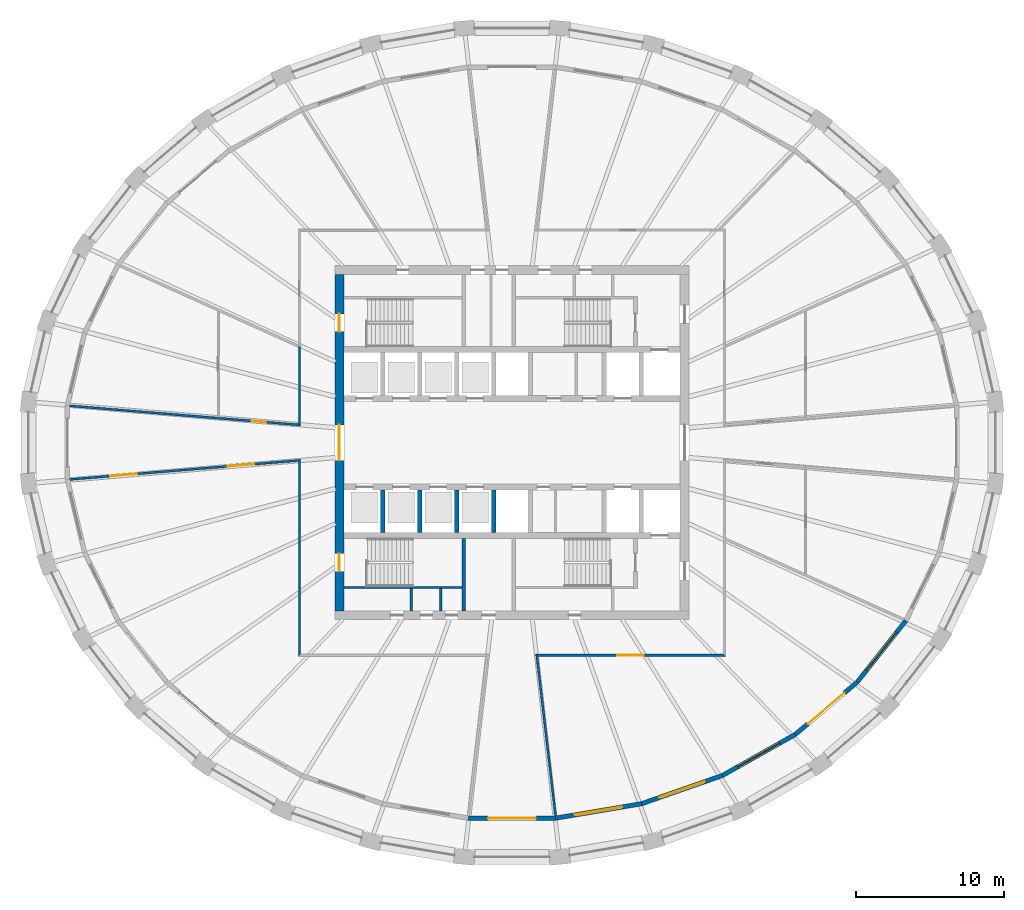
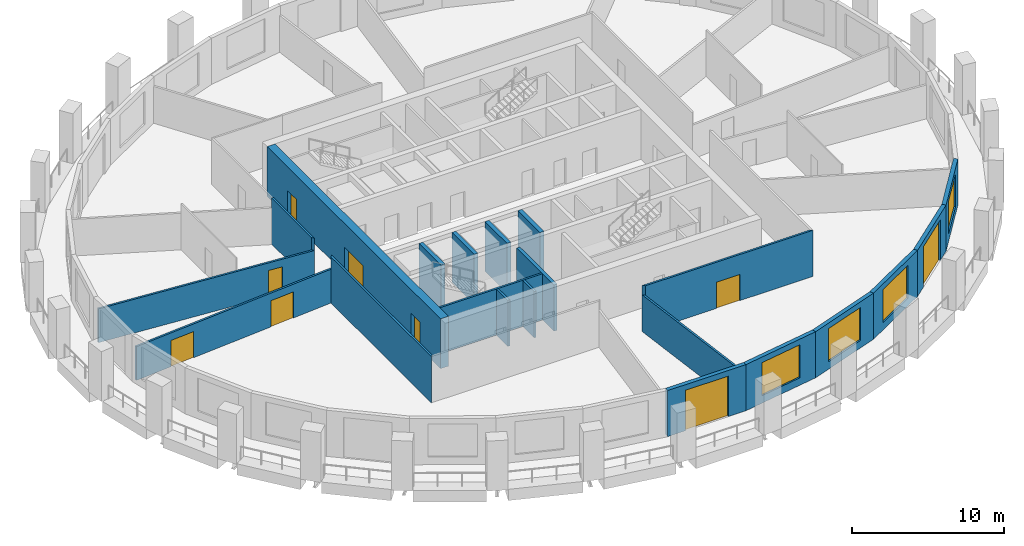
# One storey, part 3 of 10: 21 walls, 9 doors, 4 windows, 13 openings.
"""IFC4 building model written with IfcOpenShell, lengths in metres."""

from ifc_helpers import new_model, si_unit, direction, frame, frame_2d, origin, place, context, subcontext, project, spatial, polyline, rectangle, outline, extrude, material, layer, layer_set, type_object, element, fill, save


model = new_model("IFC4")

# Units and contexts
model_context = context("Model", 3, precision=1e-05, world=origin(), true_north=direction((0.0, 1.0)))
body_context = subcontext(model_context, "Body", "Model", "MODEL_VIEW")
ifc_project = project(units=[si_unit("LENGTHUNIT", "METRE"), si_unit("AREAUNIT", "SQUARE_METRE"), si_unit("VOLUMEUNIT", "CUBIC_METRE"), si_unit("PLANEANGLEUNIT", "RADIAN"), si_unit("MASSUNIT", "GRAM", prefix="KILO")], contexts=[model_context])

# Site, building, storey
site_placement = place(None, origin())
site = spatial("IfcSite", under=ifc_project, at=site_placement, CompositionType="ELEMENT")
building_placement = place(site_placement, origin())
building = spatial("IfcBuilding", under=site, at=building_placement, Name="Halqa Exchange Tower", CompositionType="ELEMENT")
storey_placement = place(building_placement, frame((0.0, 0.0, 182.89990234375)))
storey = spatial("IfcBuildingStorey", under=building, at=storey_placement, Name="L41", CompositionType="ELEMENT", Elevation=182.89990234375)

# Wall, opening, door
ifc_material_1 = material(Name="Fire-rated gypsum board")
ifc_layer_1 = layer(ifc_material_1, 0.14990234375)
ifc_layer_set_1 = layer_set([ifc_layer_1], Name="Fire-rated gypsum board")
wall_type_1 = type_object("IfcWallType", Name="Fire partition EI 60 150", PredefinedType="PARTITIONING", material=ifc_layer_set_1)
wall_1_placement = place(storey_placement, frame((-29.969970703125, 2.494384765625, 0.0), z_axis=(0.0, 0.0, 1.0), x_axis=(0.996561500002, -0.082856361942, 0.0)))
wall_1 = element("IfcWall", 1, at=wall_1_placement, inside=storey, type_object=wall_type_1, Name="L41-PWL-001", PredefinedType="PARTITIONING", context=body_context, shape_type="SweptSolid", body=[
    extrude(outline(polyline([(15.705078125, -0.074951171875), (15.705078125, -0.07470703125), (15.623779296875, 0.000244140625), (15.54248046875, 0.074951171875), (13.600341796875, 0.074951171875), (11.658203125, 0.074951171875), (9.71630859375, 0.074951171875), (7.774169921875, 0.074951171875), (5.83203125, 0.074951171875), (3.889892578125, 0.074951171875), (1.947998046875, 0.074951171875), (0.005859375, 0.074951171875), (0.0, 0.03564453125), (0.0, -0.073974609375), (0.0, -0.074951171875), (1.963134765625, -0.074951171875), (3.92626953125, -0.074951171875), (5.889404296875, -0.074951171875), (7.8525390625, -0.074951171875), (9.815673828125, -0.074951171875), (11.77880859375, -0.074951171875), (13.741943359375, -0.074951171875), (15.705078125, -0.074951171875)])), origin(), (0.0, 0.0, 1.0), 2.710205078125),
])
opening_1_placement = place(wall_1_placement, frame((12.364013671875, 0.0, 0.0)))
opening_1 = element("IfcOpeningElement", 2, at=opening_1_placement, cuts=wall_1, Name="Opening 12-03", PredefinedType="OPENING", context=body_context, shape_type="SweptSolid", body=[
    extrude(rectangle(XDim=1.0, YDim=2.10009765625, at=frame_2d((0.5, 1.050048828125))), frame((0.0, 0.0869140625, 0.0), z_axis=(0.0, -1.0, 0.0), x_axis=(1.0, 0.0, 0.0)), (0.0, 0.0, 1.0), 0.173828125),
])
ifc_material_2 = material(Name="Steel fire door leaf", Category="steel")
door_type_1 = type_object("IfcDoorType", Name="Fire door FD30S 1000 x 2100", OperationType="SINGLE_SWING_LEFT", PredefinedType="DOOR", material=ifc_material_2)
door_1_placement = place(opening_1_placement, origin())
door_1 = element("IfcDoor", 3, at=door_1_placement, inside=storey, type_object=door_type_1, Name="L41-IDR-003", OperationType="SINGLE_SWING_LEFT", OverallHeight=2.10009765625, OverallWidth=1.0, PredefinedType="DOOR", context=body_context, shape_type="SweptSolid", body=[
    extrude(rectangle(XDim=1.0, YDim=2.10009765625, at=frame_2d((0.5, 1.050048828125))), frame((0.0, 0.02490234375, 0.0), z_axis=(0.0, -1.0, 0.0), x_axis=(1.0, 0.0, 0.0)), (0.0, 0.0, 1.0), 0.050048828125),
])
fill(opening_1, door_1)

# Wall
wall_2_placement = place(storey_placement, frame((-14.39990234375, -14.47509765625, 0.0), z_axis=(0.0, 0.0, 1.0), x_axis=(0.0, 1.0, 0.0)))
element("IfcWall", 4, at=wall_2_placement, inside=storey, type_object=wall_type_1, Name="L41-PWL-004", PredefinedType="PARTITIONING", context=body_context, shape_type="SweptSolid", body=[
    extrude(outline(polyline([(0.150146484375, -0.074951171875), (2.036865234375, -0.074951171875), (3.92333984375, -0.074951171875), (5.81005859375, -0.074951171875), (7.69677734375, -0.074951171875), (9.583251953125, -0.074951171875), (11.469970703125, -0.074951171875), (13.356689453125, -0.074951171875), (13.19384765625, 0.074951171875), (11.30908203125, 0.074951171875), (9.424072265625, 0.074951171875), (7.539306640625, 0.074951171875), (5.654541015625, 0.074951171875), (3.769775390625, 0.074951171875), (1.885009765625, 0.074951171875), (0.000244140625, 0.074951171875), (0.150146484375, -0.074951171875)])), origin(), (0.0, 0.0, 1.0), 3.7001953125),
])

# Wall, openings, doors
wall_3_placement = place(storey_placement, frame((-14.31884765625, -1.193115234375, 0.0), z_axis=(0.0, 0.0, 1.0), x_axis=(-0.996562676797, -0.08284220673, 0.0)))
wall_3 = element("IfcWall", 5, at=wall_3_placement, inside=storey, type_object=wall_type_1, Name="L41-PWL-005", PredefinedType="PARTITIONING", context=body_context, shape_type="SweptSolid", body=[
    extrude(outline(polyline([(15.704833984375, -0.074951171875), (15.704833984375, 0.037841796875), (15.69921875, 0.074951171875), (13.757080078125, 0.074951171875), (11.815185546875, 0.074951171875), (9.873046875, 0.074951171875), (7.930908203125, 0.074951171875), (5.989013671875, 0.074951171875), (4.046875, 0.074951171875), (2.104736328125, 0.074951171875), (0.162841796875, 0.074951171875), (0.08154296875, 0.000244140625), (0.0, -0.07470703125), (0.0, -0.074951171875), (1.963134765625, -0.074951171875), (3.92626953125, -0.074951171875), (5.889404296875, -0.074951171875), (7.8525390625, -0.074951171875), (9.8154296875, -0.074951171875), (11.778564453125, -0.074951171875), (13.74169921875, -0.074951171875), (15.704833984375, -0.074951171875)])), origin(), (0.0, 0.0, 1.0), 2.710205078125),
])
opening_2_placement = place(wall_3_placement, frame((11.132568359375, 0.0, 0.0)))
opening_2 = element("IfcOpeningElement", 6, at=opening_2_placement, cuts=wall_3, Name="Opening 12-04", PredefinedType="OPENING", context=body_context, shape_type="SweptSolid", body=[
    extrude(rectangle(XDim=1.800048828125, YDim=2.10009765625, at=frame_2d((0.89990234375, 1.050048828125))), frame((0.0, 0.0869140625, 0.0), z_axis=(0.0, -1.0, 0.0), x_axis=(1.0, 0.0, 0.0)), (0.0, 0.0, 1.0), 0.173828125),
])
opening_3_placement = place(wall_3_placement, frame((3.165283203125, 0.0, 0.0)))
opening_3 = element("IfcOpeningElement", 7, at=opening_3_placement, cuts=wall_3, Name="Opening 12-05", PredefinedType="OPENING", context=body_context, shape_type="SweptSolid", body=[
    extrude(rectangle(XDim=1.800048828125, YDim=2.10009765625, at=frame_2d((0.89990234375, 1.050048828125))), frame((0.0, 0.0869140625, 0.0), z_axis=(0.0, -1.0, 0.0), x_axis=(1.0, 0.0, 0.0)), (0.0, 0.0, 1.0), 0.173828125),
])
door_type_2 = type_object("IfcDoorType", Name="Fire door FD30S double 1800 x 2100", OperationType="DOUBLE_DOOR_SINGLE_SWING", PredefinedType="DOOR", material=ifc_material_2)
door_2_placement = place(opening_2_placement, origin())
door_2 = element("IfcDoor", 8, at=door_2_placement, inside=storey, type_object=door_type_2, Name="L41-IDR-004", OperationType="DOUBLE_DOOR_SINGLE_SWING", OverallHeight=2.10009765625, OverallWidth=1.800048828125, PredefinedType="DOOR", context=body_context, shape_type="SweptSolid", body=[
    extrude(rectangle(XDim=1.800048828125, YDim=2.10009765625, at=frame_2d((0.89990234375, 1.050048828125))), frame((0.0, 0.02490234375, 0.0), z_axis=(0.0, -1.0, 0.0), x_axis=(1.0, 0.0, 0.0)), (0.0, 0.0, 1.0), 0.050048828125),
])
fill(opening_2, door_2)
door_3_placement = place(opening_3_placement, origin())
door_3 = element("IfcDoor", 9, at=door_3_placement, inside=storey, type_object=door_type_2, Name="L41-IDR-005", OperationType="DOUBLE_DOOR_SINGLE_SWING", OverallHeight=2.10009765625, OverallWidth=1.800048828125, PredefinedType="DOOR", context=body_context, shape_type="SweptSolid", body=[
    extrude(rectangle(XDim=1.800048828125, YDim=2.10009765625, at=frame_2d((0.89990234375, 1.050048828125))), frame((0.0, 0.02490234375, 0.0), z_axis=(0.0, -1.0, 0.0), x_axis=(1.0, 0.0, 0.0)), (0.0, 0.0, 1.0), 0.050048828125),
])
fill(opening_3, door_3)

# Walls
wall_4_placement = place(storey_placement, frame((-14.39990234375, 1.118408203125, 0.0), z_axis=(0.0, 0.0, 1.0), x_axis=(0.0, 1.0, 0.0)))
element("IfcWall", 10, at=wall_4_placement, inside=storey, type_object=wall_type_1, Name="L41-PWL-006", PredefinedType="PARTITIONING", context=body_context, shape_type="SweptSolid", body=[
    extrude(outline(polyline([(5.381591796875, 0.074951171875), (3.64208984375, 0.074951171875), (1.902587890625, 0.074951171875), (0.162841796875, 0.074951171875), (0.0, -0.074951171875), (1.7939453125, -0.074951171875), (3.587646484375, -0.074951171875), (5.381591796875, -0.074951171875), (5.381591796875, 0.074951171875)])), origin(), (0.0, 0.0, 1.0), 3.7001953125),
])
wall_5_placement = place(storey_placement, frame((1.670166015625, -14.31640625, 0.0), z_axis=(0.0, 0.0, 1.0), x_axis=(0.116172056535, -0.993229104125, 0.0)))
element("IfcWall", 11, at=wall_5_placement, inside=storey, type_object=wall_type_1, Name="L41-PWL-014", PredefinedType="PARTITIONING", context=body_context, shape_type="SweptSolid", body=[
    extrude(outline(polyline([(0.0, -0.074951171875), (1.8408203125, -0.074951171875), (3.681884765625, -0.074951171875), (5.522705078125, -0.074951171875), (7.363525390625, -0.074951171875), (9.20458984375, -0.074951171875), (11.04541015625, -0.074951171875), (11.0498046875, -0.037109375), (11.0498046875, 0.074951171875), (9.236328125, 0.074951171875), (7.422607421875, 0.074951171875), (5.609130859375, 0.074951171875), (3.79541015625, 0.074951171875), (1.98193359375, 0.074951171875), (0.16845703125, 0.074951171875), (0.084228515625, 0.0), (0.0, -0.074951171875), (0.0, -0.074951171875)])), origin(), (0.0, 0.0, 1.0), 2.947021484375),
])

# Wall, opening, door
wall_6_placement = place(storey_placement, frame((14.47509765625, -14.39990234375, 0.0), z_axis=(0.0, 0.0, 1.0), x_axis=(-1.0, 0.0, 0.0)))
wall_6 = element("IfcWall", 12, at=wall_6_placement, inside=storey, type_object=wall_type_1, Name="L41-PWL-018", PredefinedType="PARTITIONING", context=body_context, shape_type="SweptSolid", body=[
    extrude(outline(polyline([(12.87939453125, -0.074951171875), (12.87939453125, -0.074951171875), (12.7109375, 0.074951171875), (10.895263671875, 0.074951171875), (9.079345703125, 0.074951171875), (7.263427734375, 0.074951171875), (5.44775390625, 0.074951171875), (3.6318359375, 0.074951171875), (1.816162109375, 0.074951171875), (0.000244140625, 0.074951171875), (0.150146484375, -0.074951171875), (1.968505859375, -0.074951171875), (3.787109375, -0.074951171875), (5.60546875, -0.074951171875), (7.424072265625, -0.074951171875), (9.242431640625, -0.074951171875), (11.06103515625, -0.074951171875), (12.87939453125, -0.074951171875)])), origin(), (0.0, 0.0, 1.0), 3.7001953125),
])
opening_4_placement = place(wall_6_placement, frame((5.534912109375, 0.0, 0.0)))
opening_4 = element("IfcOpeningElement", 13, at=opening_4_placement, cuts=wall_6, Name="Opening 12-06", PredefinedType="OPENING", context=body_context, shape_type="SweptSolid", body=[
    extrude(rectangle(XDim=1.800048828125, YDim=2.10009765625, at=frame_2d((0.89990234375, 1.050048828125))), frame((0.0, 0.0869140625, 0.0), z_axis=(0.0, -1.0, 0.0), x_axis=(1.0, 0.0, 0.0)), (0.0, 0.0, 1.0), 0.173828125),
])
door_4_placement = place(opening_4_placement, origin())
door_4 = element("IfcDoor", 14, at=door_4_placement, inside=storey, type_object=door_type_2, Name="L41-IDR-006", OperationType="DOUBLE_DOOR_SINGLE_SWING", OverallHeight=2.10009765625, OverallWidth=1.800048828125, PredefinedType="DOOR", context=body_context, shape_type="SweptSolid", body=[
    extrude(rectangle(XDim=1.800048828125, YDim=2.10009765625, at=frame_2d((0.89990234375, 1.050048828125))), frame((0.0, 0.02490234375, 0.0), z_axis=(0.0, -1.0, 0.0), x_axis=(1.0, 0.0, 0.0)), (0.0, 0.0, 1.0), 0.050048828125),
])
fill(opening_4, door_4)

# Walls
ifc_material_3 = material(Name="Gypsum board")
ifc_layer_2 = layer(ifc_material_3, 0.14990234375)
ifc_layer_set_2 = layer_set([ifc_layer_2], Name="Gypsum board")
wall_type_2 = type_object("IfcWallType", Name="Penthouse riser wall 150 gypsum", PredefinedType="PARTITIONING", material=ifc_layer_set_2)
for number, where, z_axis, x_axis, name in (
    (15, (-6.824951171875, -11.39990234375, 0.0), (0.0, 0.0, 1.0), (0.0, 1.0, 0.0), "Partition W6.825 S"),
    (16, (-4.824951171875, -11.39990234375, 0.0), (0.0, 0.0, 1.0), (0.0, 1.0, 0.0), "Partition W4.825 S"),
):
    element("IfcWall", number, at=place(storey_placement, frame(where, z_axis=z_axis, x_axis=x_axis)), inside=storey, type_object=wall_type_2, Name=name, PredefinedType="PARTITIONING", context=body_context, shape_type="SweptSolid", body=[
        extrude(rectangle(XDim=1.5, YDim=0.14990234375, at=frame_2d((0.75, 0.0))), origin(), (0.0, 0.0, 1.0), 3.7001953125),
    ])
ifc_material_4 = material(Name="Concrete C60/75", Category="concrete")
ifc_layer_3 = layer(ifc_material_4, 0.300048828125)
ifc_layer_set_3 = layer_set([ifc_layer_3], Name="Concrete C60/75")
wall_type_3 = type_object("IfcWallType", Name="RC core wall 300", PredefinedType="SHEAR", material=ifc_layer_set_3)
for number, where, z_axis, x_axis, name in (
    (17, (-8.75, -6.10009765625, 0.0), (0.0, 0.0, 1.0), (0.0, 1.0, 0.0), "Shaft divider S1"),
    (18, (-6.25, -6.10009765625, 0.0), (0.0, 0.0, 1.0), (0.0, 1.0, 0.0), "Shaft divider S2"),
    (19, (-3.75, -6.10009765625, 0.0), (0.0, 0.0, 1.0), (0.0, 1.0, 0.0), "Shaft divider S3"),
    (20, (-1.25, -6.10009765625, 0.0), (0.0, 0.0, 1.0), (0.0, 1.0, 0.0), "Shaft divider S4"),
):
    element("IfcWall", number, at=place(storey_placement, frame(where, z_axis=z_axis, x_axis=x_axis)), inside=storey, type_object=wall_type_3, Name=name, PredefinedType="SHEAR", context=body_context, shape_type="SweptSolid", body=[
        extrude(rectangle(XDim=2.900146484375, YDim=0.300048828125, at=frame_2d((1.4501953125, 0.0))), origin(), (0.0, 0.0, 1.0), 4.0),
    ])

# Wall, openings, doors
ifc_material_5 = material(Name="Concrete C70/85", Category="concrete")
ifc_layer_4 = layer(ifc_material_5, 0.60009765625)
ifc_layer_set_4 = layer_set([ifc_layer_4], Name="Concrete C70/85")
wall_type_4 = type_object("IfcWallType", Name="RC core wall 600 C70/85", PredefinedType="SHEAR", material=ifc_layer_set_4)
wall_7_placement = place(storey_placement, frame((-11.699951171875, -11.39990234375, 0.0), z_axis=(0.0, 0.0, 1.0), x_axis=(0.0, 1.0, 0.0)))
wall_7 = element("IfcWall", 21, at=wall_7_placement, inside=storey, type_object=wall_type_4, Name="Core wall west", PredefinedType="SHEAR", context=body_context, shape_type="SweptSolid", body=[
    extrude(rectangle(XDim=22.7998046875, YDim=0.60009765625, at=frame_2d((11.39990234375, 0.0))), origin(), (0.0, 0.0, 1.0), 4.0),
])
opening_5_placement = place(wall_7_placement, frame((10.199951171875, 0.0, 0.0)))
opening_5 = element("IfcOpeningElement", 22, at=opening_5_placement, cuts=wall_7, Name="Opening T12-C13", PredefinedType="OPENING", context=body_context, shape_type="SweptSolid", body=[
    extrude(rectangle(XDim=2.39990234375, YDim=2.10009765625, at=frame_2d((1.199951171875, 1.050048828125))), frame((0.0, 0.31201171875, 0.0), z_axis=(0.0, -1.0, 0.0), x_axis=(1.0, 0.0, 0.0)), (0.0, 0.0, 1.0), 0.6240234375),
])
opening_6_placement = place(wall_7_placement, frame((18.925048828125, 0.0, 0.0)))
opening_6 = element("IfcOpeningElement", 23, at=opening_6_placement, cuts=wall_7, Name="Opening T12-C15", PredefinedType="OPENING", context=body_context, shape_type="SweptSolid", body=[
    extrude(rectangle(XDim=1.199951171875, YDim=2.10009765625, at=frame_2d((0.60009765625, 1.050048828125))), frame((0.0, 0.31201171875, 0.0), z_axis=(0.0, -1.0, 0.0), x_axis=(1.0, 0.0, 0.0)), (0.0, 0.0, 1.0), 0.6240234375),
])
opening_7_placement = place(wall_7_placement, frame((2.675048828125, 0.0, 0.0)))
opening_7 = element("IfcOpeningElement", 24, at=opening_7_placement, cuts=wall_7, Name="Opening T12-C17", PredefinedType="OPENING", context=body_context, shape_type="SweptSolid", body=[
    extrude(rectangle(XDim=1.199951171875, YDim=2.10009765625, at=frame_2d((0.60009765625, 1.050048828125))), frame((0.0, 0.31201171875, 0.0), z_axis=(0.0, -1.0, 0.0), x_axis=(1.0, 0.0, 0.0)), (0.0, 0.0, 1.0), 0.6240234375),
])
door_type_3 = type_object("IfcDoorType", Name="Lobby double door FD60 2400 x 2100", OperationType="DOUBLE_DOOR_SINGLE_SWING", PredefinedType="DOOR", material=ifc_material_2)
door_5_placement = place(opening_5_placement, frame((2.39990234375, 0.0, 0.0), z_axis=(0.0, 0.0, 1.0), x_axis=(-1.0, 0.0, 0.0)))
door_5 = element("IfcDoor", 25, at=door_5_placement, inside=storey, type_object=door_type_3, Name="Lift lobby double door", OperationType="DOUBLE_DOOR_SINGLE_SWING", OverallHeight=2.10009765625, OverallWidth=2.39990234375, PredefinedType="DOOR", context=body_context, shape_type="SweptSolid", body=[
    extrude(rectangle(XDim=2.39990234375, YDim=2.10009765625, at=frame_2d((1.199951171875, 1.050048828125))), frame((0.0, 0.02490234375, 0.0), z_axis=(0.0, -1.0, 0.0), x_axis=(1.0, 0.0, 0.0)), (0.0, 0.0, 1.0), 0.050048828125),
])
fill(opening_5, door_5)
door_type_4 = type_object("IfcDoorType", Name="Stair door FD90 1200 x 2100", OperationType="SINGLE_SWING_LEFT", PredefinedType="DOOR", material=ifc_material_2)
door_6_placement = place(opening_6_placement, frame((1.199951171875, 0.0, 0.0), z_axis=(0.0, 0.0, 1.0), x_axis=(-1.0, 0.0, 0.0)))
door_6 = element("IfcDoor", 26, at=door_6_placement, inside=storey, type_object=door_type_4, Name="Stair door ST1", OperationType="SINGLE_SWING_RIGHT", OverallHeight=2.10009765625, OverallWidth=1.199951171875, PredefinedType="DOOR", context=body_context, shape_type="SweptSolid", body=[
    extrude(rectangle(XDim=1.199951171875, YDim=2.10009765625, at=frame_2d((0.60009765625, 1.050048828125))), frame((0.0, 0.02490234375, 0.0), z_axis=(0.0, -1.0, 0.0), x_axis=(1.0, 0.0, 0.0)), (0.0, 0.0, 1.0), 0.050048828125),
])
fill(opening_6, door_6)
door_7_placement = place(opening_7_placement, frame((1.199951171875, 0.0, 0.0), z_axis=(0.0, 0.0, 1.0), x_axis=(-1.0, 0.0, 0.0)))
door_7 = element("IfcDoor", 27, at=door_7_placement, inside=storey, type_object=door_type_4, Name="Stair door ST3", OperationType="SINGLE_SWING_RIGHT", OverallHeight=2.10009765625, OverallWidth=1.199951171875, PredefinedType="DOOR", context=body_context, shape_type="SweptSolid", body=[
    extrude(rectangle(XDim=1.199951171875, YDim=2.10009765625, at=frame_2d((0.60009765625, 1.050048828125))), frame((0.0, 0.02490234375, 0.0), z_axis=(0.0, -1.0, 0.0), x_axis=(1.0, 0.0, 0.0)), (0.0, 0.0, 1.0), 0.050048828125),
])
fill(opening_7, door_7)

# Walls
ifc_material_6 = material(Name="Concrete C30/37", Category="concrete")
ifc_layer_5 = layer(ifc_material_6, 0.14990234375)
ifc_layer_set_5 = layer_set([ifc_layer_5], Name="Concrete C30/37")
wall_type_5 = type_object("IfcWallType", Name="RC stair wall 150 C30/37", PredefinedType="SHEAR", material=ifc_layer_set_5)
wall_8_placement = place(storey_placement, frame((-11.39990234375, -9.824951171875, 0.0), z_axis=(0.0, 0.0, 1.0), x_axis=(1.0, 0.0, 0.0)))
element("IfcWall", 28, at=wall_8_placement, inside=storey, type_object=wall_type_5, Name="Stair ST1 north wall S", PredefinedType="SHEAR", context=body_context, shape_type="SweptSolid", body=[
    extrude(rectangle(XDim=8.0, YDim=0.14990234375, at=frame_2d((4.0, 0.0))), origin(), (0.0, 0.0, 1.0), 3.7001953125),
])
ifc_layer_6 = layer(ifc_material_6, 0.25)
ifc_layer_set_6 = layer_set([ifc_layer_6], Name="Concrete C30/37")
wall_type_6 = type_object("IfcWallType", Name="RC stair wall 250 C30/37", PredefinedType="SHEAR", material=ifc_layer_set_6)
wall_9_placement = place(storey_placement, frame((-3.27490234375, -11.39990234375, 0.0), z_axis=(0.0, 0.0, 1.0), x_axis=(0.0, 1.0, 0.0)))
element("IfcWall", 29, at=wall_9_placement, inside=storey, type_object=wall_type_6, Name="Stair ST1 east wall S", PredefinedType="SHEAR", context=body_context, shape_type="SweptSolid", body=[
    extrude(rectangle(XDim=4.89990234375, YDim=0.25, at=frame_2d((2.449951171875, 0.0))), origin(), (0.0, 0.0, 1.0), 3.7001953125),
])

# Wall, opening, door
ifc_material_7 = material(Name="Limestone cladding", Category="masonry")
ifc_layer_7 = layer(ifc_material_7, 0.0400390625)
ifc_material_8 = material(Name="Ventilated cavity")
ifc_layer_8 = layer(ifc_material_8, 0.030029296875, ventilated=True)
ifc_material_9 = material(Name="Mineral wool insulation")
ifc_layer_9 = layer(ifc_material_9, 0.10009765625)
ifc_layer_10 = layer(ifc_material_6, 0.10009765625)
ifc_material_10 = material(Name="Internal plaster")
ifc_layer_11 = layer(ifc_material_10, 0.030029296875)
ifc_layer_set_7 = layer_set([ifc_layer_7, ifc_layer_8, ifc_layer_9, ifc_layer_10, ifc_layer_11], Name="Stone-faced insulated wall 300")
wall_type_7 = type_object("IfcWallType", Name="Stone-faced insulated wall 300", PredefinedType="STANDARD", material=ifc_layer_set_7)
wall_10_placement = place(storey_placement, frame((-2.96484375, -25.44580078125, 0.0), z_axis=(0.0, 0.0, 1.0), x_axis=(1.0, 0.0, 0.0)))
wall_10 = element("IfcWall", 30, at=wall_10_placement, inside=storey, type_object=wall_type_7, Name="Glass-line wall 24", PredefinedType="STANDARD", context=body_context, shape_type="SweptSolid", body=[
    extrude(outline(polyline([(-0.012451171875, -0.14990234375), (5.942138671875, -0.14990234375), (5.917236328125, 0.14990234375), (0.012451171875, 0.14990234375), (-0.012451171875, -0.14990234375)])), origin(), (0.0, 0.0, 1.0), 3.7001953125),
])
opening_8_placement = place(wall_10_placement, frame((1.33984375, 0.0, 0.0)))
opening_8 = element("IfcOpeningElement", 31, at=opening_8_placement, cuts=wall_10, Name="Opening LG-F3-06", PredefinedType="OPENING", context=body_context, shape_type="SweptSolid", body=[
    extrude(rectangle(XDim=3.25, YDim=3.25, at=frame_2d((1.625, 1.625))), frame((0.0, 0.162109375, 0.0), z_axis=(0.0, -1.0, 0.0), x_axis=(1.0, 0.0, 0.0)), (0.0, 0.0, 1.0), 0.323974609375),
])
ifc_material_11 = material(Name="Clear low-emissivity glass in aluminium frame", Category="aluminium")
door_type_5 = type_object("IfcDoorType", Name="Glazed sliding loggia door 3250 x 3250", OperationType="DOUBLE_DOOR_SLIDING", PredefinedType="DOOR", material=ifc_material_11)
door_8_placement = place(opening_8_placement, origin())
door_8 = element("IfcDoor", 32, at=door_8_placement, inside=storey, type_object=door_type_5, Name="Loggia door 6", OperationType="DOUBLE_DOOR_SLIDING", OverallHeight=3.25, OverallWidth=3.25, PredefinedType="DOOR", context=body_context, shape_type="SweptSolid", body=[
    extrude(rectangle(XDim=3.25, YDim=3.25, at=frame_2d((1.625, 1.625))), frame((0.0, 0.02490234375, 0.0), z_axis=(0.0, -1.0, 0.0), x_axis=(1.0, 0.0, 0.0)), (0.0, 0.0, 1.0), 0.050048828125),
])
fill(opening_8, door_8)

# Wall, opening, window
wall_11_placement = place(storey_placement, frame((2.96484375, -25.44580078125, 0.0), z_axis=(0.0, 0.0, 1.0), x_axis=(0.986201934369, 0.165546805001, 0.0)))
wall_11 = element("IfcWall", 33, at=wall_11_placement, inside=storey, type_object=wall_type_7, Name="Glass-line wall 25", PredefinedType="STANDARD", context=body_context, shape_type="SweptSolid", body=[
    extrude(outline(polyline([(-0.012451171875, -0.14990234375), (5.91015625, -0.14990234375), (5.884765625, 0.14990234375), (0.012451171875, 0.14990234375), (-0.012451171875, -0.14990234375)])), origin(), (0.0, 0.0, 1.0), 3.7001953125),
])
opening_9_placement = place(wall_11_placement, frame((1.32373046875, 0.0, 0.60009765625)))
opening_9 = element("IfcOpeningElement", 34, at=opening_9_placement, cuts=wall_11, Name="Opening W-F3-25", PredefinedType="OPENING", context=body_context, shape_type="SweptSolid", body=[
    extrude(rectangle(XDim=3.25, YDim=2.64990234375, at=frame_2d((1.625, 1.324951171875))), frame((0.0, 0.162109375, 0.0), z_axis=(0.0, -1.0, 0.0), x_axis=(1.0, 0.0, 0.0)), (0.0, 0.0, 1.0), 0.323974609375),
])
window_type = type_object("IfcWindowType", Name="Fixed clear glazed window 3250 x 2650", PartitioningType="TRIPLE_PANEL_VERTICAL", PredefinedType="WINDOW", material=ifc_material_11)
window_1_placement = place(opening_9_placement, origin())
window_1 = element("IfcWindow", 35, at=window_1_placement, inside=storey, type_object=window_type, Name="Window 3", OverallHeight=2.64990234375, OverallWidth=3.25, PartitioningType="TRIPLE_PANEL_VERTICAL", PredefinedType="WINDOW", context=body_context, shape_type="SweptSolid", body=[
    extrude(rectangle(XDim=3.25, YDim=2.64990234375, at=frame_2d((1.625, 1.324951171875))), frame((0.0, 0.030029296875, 0.0), z_axis=(0.0, -1.0, 0.0), x_axis=(1.0, 0.0, 0.0)), (0.0, 0.0, 1.0), 0.06005859375),
])
fill(opening_9, window_1)

wall_12_placement = place(storey_placement, frame((8.781005859375, -24.469482421875, 0.0), z_axis=(0.0, 0.0, 1.0), x_axis=(0.943990724372, 0.329971987144, 0.0)))
wall_12 = element("IfcWall", 36, at=wall_12_placement, inside=storey, type_object=wall_type_7, Name="Glass-line wall 26", PredefinedType="STANDARD", context=body_context, shape_type="SweptSolid", body=[
    extrude(outline(polyline([(-0.0126953125, -0.14990234375), (5.818603515625, -0.14990234375), (5.791748046875, 0.14990234375), (0.0126953125, 0.14990234375), (-0.0126953125, -0.14990234375)])), origin(), (0.0, 0.0, 1.0), 3.7001953125),
])
opening_10_placement = place(wall_12_placement, frame((1.277587890625, 0.0, 0.60009765625)))
opening_10 = element("IfcOpeningElement", 37, at=opening_10_placement, cuts=wall_12, Name="Opening W-F3-26", PredefinedType="OPENING", context=body_context, shape_type="SweptSolid", body=[
    extrude(rectangle(XDim=3.25, YDim=2.64990234375, at=frame_2d((1.625, 1.324951171875))), frame((0.0, 0.162109375, 0.0), z_axis=(0.0, -1.0, 0.0), x_axis=(1.0, 0.0, 0.0)), (0.0, 0.0, 1.0), 0.323974609375),
])
window_2_placement = place(opening_10_placement, origin())
window_2 = element("IfcWindow", 38, at=window_2_placement, inside=storey, type_object=window_type, Name="Window 3", OverallHeight=2.64990234375, OverallWidth=3.25, PartitioningType="TRIPLE_PANEL_VERTICAL", PredefinedType="WINDOW", context=body_context, shape_type="SweptSolid", body=[
    extrude(rectangle(XDim=3.25, YDim=2.64990234375, at=frame_2d((1.625, 1.324951171875))), frame((0.0, 0.030029296875, 0.0), z_axis=(0.0, -1.0, 0.0), x_axis=(1.0, 0.0, 0.0)), (0.0, 0.0, 1.0), 0.06005859375),
])
fill(opening_10, window_2)

wall_13_placement = place(storey_placement, frame((14.260986328125, -22.553955078125, 0.0), z_axis=(0.0, 0.0, 1.0), x_axis=(0.871077775545, 0.491145099691, 0.0)))
wall_13 = element("IfcWall", 39, at=wall_13_placement, inside=storey, type_object=wall_type_7, Name="Glass-line wall 27", PredefinedType="STANDARD", context=body_context, shape_type="SweptSolid", body=[
    extrude(outline(polyline([(-0.013427734375, -0.14990234375), (5.677978515625, -0.14990234375), (5.649658203125, 0.14990234375), (0.013427734375, 0.14990234375), (-0.013427734375, -0.14990234375)])), origin(), (0.0, 0.0, 1.0), 3.7001953125),
])
opening_11_placement = place(wall_13_placement, frame((1.206787109375, 0.0, 0.60009765625)))
opening_11 = element("IfcOpeningElement", 40, at=opening_11_placement, cuts=wall_13, Name="Opening W-F3-27", PredefinedType="OPENING", context=body_context, shape_type="SweptSolid", body=[
    extrude(rectangle(XDim=3.25, YDim=2.64990234375, at=frame_2d((1.625, 1.324951171875))), frame((0.0, 0.162109375, 0.0), z_axis=(0.0, -1.0, 0.0), x_axis=(1.0, 0.0, 0.0)), (0.0, 0.0, 1.0), 0.323974609375),
])
window_3_placement = place(opening_11_placement, origin())
window_3 = element("IfcWindow", 41, at=window_3_placement, inside=storey, type_object=window_type, Name="Window 3", OverallHeight=2.64990234375, OverallWidth=3.25, PartitioningType="TRIPLE_PANEL_VERTICAL", PredefinedType="WINDOW", context=body_context, shape_type="SweptSolid", body=[
    extrude(rectangle(XDim=3.25, YDim=2.64990234375, at=frame_2d((1.625, 1.324951171875))), frame((0.0, 0.030029296875, 0.0), z_axis=(0.0, -1.0, 0.0), x_axis=(1.0, 0.0, 0.0)), (0.0, 0.0, 1.0), 0.06005859375),
])
fill(opening_11, window_3)

# Wall, opening, door
wall_14_placement = place(storey_placement, frame((19.194580078125, -19.772216796875, 0.0), z_axis=(0.0, 0.0, 1.0), x_axis=(0.764238764041, 0.64493341636, 0.0)))
wall_14 = element("IfcWall", 42, at=wall_14_placement, inside=storey, type_object=wall_type_7, Name="Glass-line wall 28", PredefinedType="STANDARD", context=body_context, shape_type="SweptSolid", body=[
    extrude(outline(polyline([(-0.01416015625, -0.14990234375), (5.507568359375, -0.14990234375), (5.477294921875, 0.14990234375), (0.01416015625, 0.14990234375), (-0.01416015625, -0.14990234375)])), origin(), (0.0, 0.0, 1.0), 3.7001953125),
])
opening_12_placement = place(wall_14_placement, frame((1.12109375, 0.0, 0.0)))
opening_12 = element("IfcOpeningElement", 43, at=opening_12_placement, cuts=wall_14, Name="Opening LG-F3-07", PredefinedType="OPENING", context=body_context, shape_type="SweptSolid", body=[
    extrude(rectangle(XDim=3.25, YDim=3.25, at=frame_2d((1.625, 1.625))), frame((0.0, 0.162109375, 0.0), z_axis=(0.0, -1.0, 0.0), x_axis=(1.0, 0.0, 0.0)), (0.0, 0.0, 1.0), 0.323974609375),
])
door_9_placement = place(opening_12_placement, origin())
door_9 = element("IfcDoor", 44, at=door_9_placement, inside=storey, type_object=door_type_5, Name="Loggia door 7", OperationType="DOUBLE_DOOR_SLIDING", OverallHeight=3.25, OverallWidth=3.25, PredefinedType="DOOR", context=body_context, shape_type="SweptSolid", body=[
    extrude(rectangle(XDim=3.25, YDim=3.25, at=frame_2d((1.625, 1.625))), frame((0.0, 0.02490234375, 0.0), z_axis=(0.0, -1.0, 0.0), x_axis=(1.0, 0.0, 0.0)), (0.0, 0.0, 1.0), 0.050048828125),
])
fill(opening_12, door_9)

# Wall, opening, window
wall_15_placement = place(storey_placement, frame((23.39208984375, -16.22998046875, 0.0), z_axis=(0.0, 0.0, 1.0), x_axis=(0.620766467446, 0.78399553117, 0.0)))
wall_15 = element("IfcWall", 45, at=wall_15_placement, inside=storey, type_object=wall_type_7, Name="Glass-line wall 29", PredefinedType="STANDARD", context=body_context, shape_type="SweptSolid", body=[
    extrude(outline(polyline([(-0.01513671875, -0.14990234375), (5.331787109375, -0.14990234375), (5.299560546875, 0.14990234375), (0.01513671875, 0.14990234375), (-0.01513671875, -0.14990234375)])), origin(), (0.0, 0.0, 1.0), 3.7001953125),
])
opening_13_placement = place(wall_15_placement, frame((1.032958984375, 0.0, 0.60009765625)))
opening_13 = element("IfcOpeningElement", 46, at=opening_13_placement, cuts=wall_15, Name="Opening W-F3-29", PredefinedType="OPENING", context=body_context, shape_type="SweptSolid", body=[
    extrude(rectangle(XDim=3.25, YDim=2.64990234375, at=frame_2d((1.625, 1.324951171875))), frame((0.0, 0.162109375, 0.0), z_axis=(0.0, -1.0, 0.0), x_axis=(1.0, 0.0, 0.0)), (0.0, 0.0, 1.0), 0.323974609375),
])
window_4_placement = place(opening_13_placement, origin())
window_4 = element("IfcWindow", 47, at=window_4_placement, inside=storey, type_object=window_type, Name="Window 3", OverallHeight=2.64990234375, OverallWidth=3.25, PartitioningType="TRIPLE_PANEL_VERTICAL", PredefinedType="WINDOW", context=body_context, shape_type="SweptSolid", body=[
    extrude(rectangle(XDim=3.25, YDim=2.64990234375, at=frame_2d((1.625, 1.324951171875))), frame((0.0, 0.030029296875, 0.0), z_axis=(0.0, -1.0, 0.0), x_axis=(1.0, 0.0, 0.0)), (0.0, 0.0, 1.0), 0.06005859375),
])
fill(opening_13, window_4)

save(model, "model.ifc")
